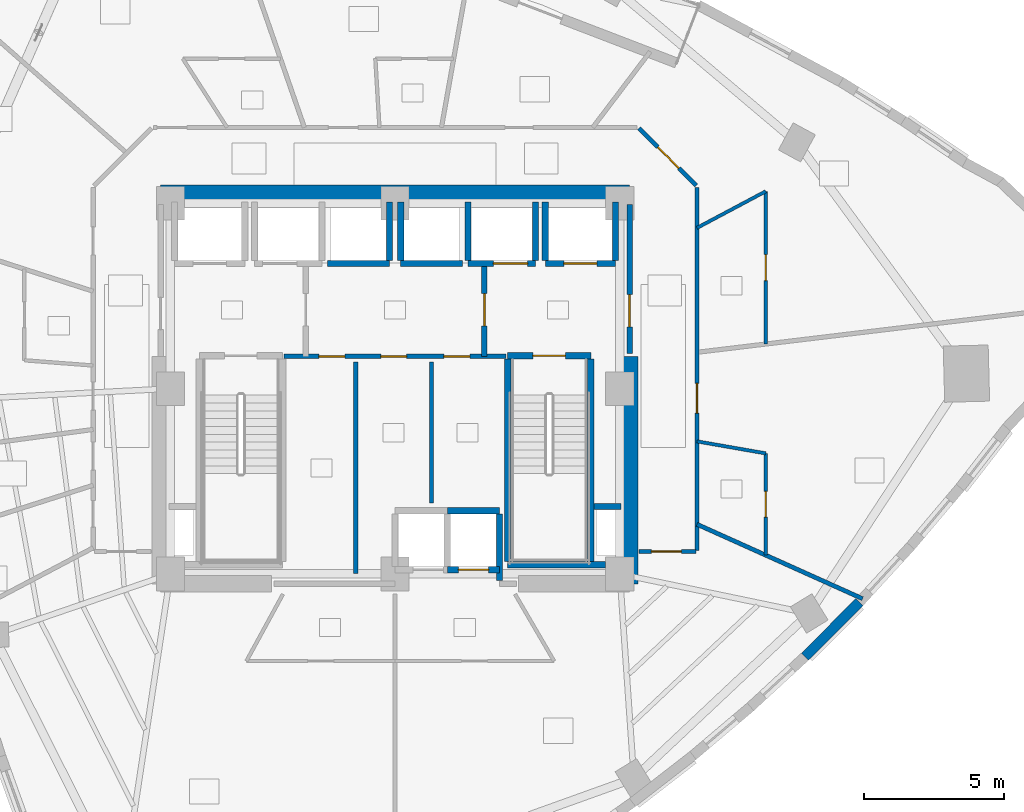
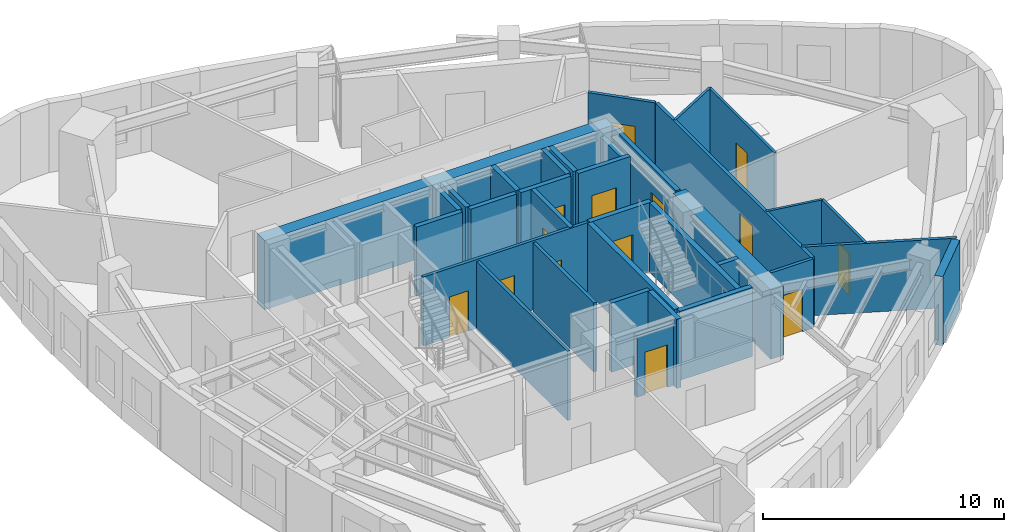
# One storey, part 8 of 13: 34 walls, 14 doors, 14 openings.
"""IFC4 building model written with IfcOpenShell, lengths in metres."""

from ifc_helpers import new_model, si_unit, direction, frame, frame_2d, origin, place, context, subcontext, project, spatial, rectangle, extrude, material, layer, layer_set, type_object, element, fill, save


model = new_model("IFC4")

# Units and contexts
model_context = context("Model", 3, precision=1e-05, world=origin(), true_north=direction((0.0, 1.0)))
body_context = subcontext(model_context, "Body", "Model", "MODEL_VIEW")
ifc_project = project(units=[si_unit("LENGTHUNIT", "METRE"), si_unit("AREAUNIT", "SQUARE_METRE"), si_unit("VOLUMEUNIT", "CUBIC_METRE"), si_unit("PLANEANGLEUNIT", "RADIAN"), si_unit("MASSUNIT", "GRAM", prefix="KILO")], contexts=[model_context])

# Site, building, storey
site_placement = place(None, origin())
site = spatial("IfcSite", under=ifc_project, at=site_placement, CompositionType="ELEMENT")
building_placement = place(site_placement, origin())
building = spatial("IfcBuilding", under=site, at=building_placement, Name="Ndelora Gate Hotel", CompositionType="ELEMENT")
storey_placement = place(building_placement, frame((0.0, 0.0, 157.25)))
storey = spatial("IfcBuildingStorey", under=building, at=storey_placement, Name="L39", CompositionType="ELEMENT", Elevation=157.25)

# Walls
ifc_material_1 = material(Name="Clay Brick Masonry", Category="masonry")
ifc_layer_1 = layer(ifc_material_1, 0.360107421875)
ifc_layer_set_1 = layer_set([ifc_layer_1], Name="Clay Brick Masonry")
wall_type_1 = type_object("IfcWallType", Name="WL-BRICK-360", PredefinedType="SOLIDWALL", material=ifc_layer_set_1)
wall_1_placement = place(storey_placement, frame((16.53271484375, -7.605712890625, 0.0), z_axis=(0.0, 0.0, 1.0), x_axis=(-0.706305628683, -0.70790702701, 0.0)))
element("IfcWall", 1, at=wall_1_placement, inside=storey, type_object=wall_type_1, Name="L39 Tower Brick Pier-and-Spandrel Wall TWR-37", PredefinedType="SOLIDWALL", context=body_context, shape_type="SweptSolid", body=[
    extrude(rectangle(XDim=2.744140625, YDim=0.360107421875, at=frame_2d((1.3720703125, 0.0))), origin(), (0.0, 0.0, 1.0), 3.5),
])
ifc_material_2 = material(Name="Concrete C60/75", Category="concrete")
ifc_layer_2 = layer(ifc_material_2, 0.60009765625)
ifc_layer_set_2 = layer_set([ifc_layer_2], Name="Concrete C60/75")
wall_type_2 = type_object("IfcWallType", Name="WL-CORE-600", PredefinedType="SHEAR", material=ifc_layer_set_2)
wall_2_placement = place(storey_placement, frame((-8.35009765625, 6.949951171875, 0.0), z_axis=(0.0, 0.0, 1.0), x_axis=(1.0, 0.0, 0.0)))
element("IfcWall", 2, at=wall_2_placement, inside=storey, type_object=wall_type_2, Name="L39 Core Shear Wall N", PredefinedType="SHEAR", context=body_context, shape_type="SweptSolid", body=[
    extrude(rectangle(XDim=16.7001953125, YDim=0.60009765625, at=frame_2d((8.35009765625, 0.0))), origin(), (0.0, 0.0, 1.0), 3.5),
])
wall_3_placement = place(storey_placement, frame((8.35009765625, -6.949951171875, 0.0), z_axis=(0.0, 0.0, 1.0), x_axis=(0.0, 1.0, 0.0)))
element("IfcWall", 3, at=wall_3_placement, inside=storey, type_object=wall_type_2, Name="L39 Core Shear Wall E", PredefinedType="SHEAR", context=body_context, shape_type="SweptSolid", body=[
    extrude(rectangle(XDim=8.099853515625, YDim=0.60009765625, at=frame_2d((4.0498046875, 0.0))), origin(), (0.0, 0.0, 1.0), 3.5),
])

# Wall, opening, door
ifc_material_3 = material(Name="Concrete C40/50", Category="concrete")
ifc_layer_3 = layer(ifc_material_3, 0.199951171875)
ifc_layer_set_3 = layer_set([ifc_layer_3], Name="Concrete C40/50")
wall_type_3 = type_object("IfcWallType", Name="WL-FIRE-200", PredefinedType="PARTITIONING", material=ifc_layer_set_3)
wall_4_placement = place(storey_placement, frame((3.179931640625, 1.14990234375, 0.0), z_axis=(0.0, 0.0, 1.0), x_axis=(0.0, 1.0, 0.0)))
wall_4 = element("IfcWall", 4, at=wall_4_placement, inside=storey, type_object=wall_type_3, Name="L39 Interior Wall IW-2", PredefinedType="PARTITIONING", context=body_context, shape_type="SweptSolid", body=[
    extrude(rectangle(XDim=3.300048828125, YDim=0.199951171875, at=frame_2d((1.64990234375, 0.0))), origin(), (0.0, 0.0, 1.0), 3.5),
])
opening_1_placement = place(wall_4_placement, frame((1.080078125, 0.0, 0.0)))
opening_1 = element("IfcOpeningElement", 5, at=opening_1_placement, cuts=wall_4, Name="Opening FD1", PredefinedType="OPENING", context=body_context, shape_type="SweptSolid", body=[
    extrude(rectangle(XDim=1.14990234375, YDim=2.14990234375, at=frame_2d((0.574951171875, 1.074951171875))), frame((0.0, 0.10986328125, 0.0), z_axis=(0.0, -1.0, 0.0), x_axis=(1.0, 0.0, 0.0)), (0.0, 0.0, 1.0), 0.219970703125),
])
ifc_material_4 = material(Name="Fire-Rated Timber-Veneer Steel Core", Category="steel")
door_type_1 = type_object("IfcDoorType", Name="DR-FD60", OperationType="SINGLE_SWING_LEFT", PredefinedType="DOOR", material=ifc_material_4)
door_1_placement = place(opening_1_placement, origin())
door_1 = element("IfcDoor", 6, at=door_1_placement, inside=storey, type_object=door_type_1, Name="L39 Firefighting Lobby East Door", OperationType="SINGLE_SWING_LEFT", OverallHeight=2.14990234375, OverallWidth=1.14990234375, PredefinedType="DOOR", context=body_context, shape_type="SweptSolid", body=[
    extrude(rectangle(XDim=1.14990234375, YDim=2.14990234375, at=frame_2d((0.574951171875, 1.074951171875))), frame((0.0, 0.02490234375, 0.0), z_axis=(0.0, -1.0, 0.0), x_axis=(1.0, 0.0, 0.0)), (0.0, 0.0, 1.0), 0.050048828125),
])
fill(opening_1, door_1)

wall_5_placement = place(storey_placement, frame((8.35009765625, 1.25, 0.0), z_axis=(0.0, 0.0, 1.0), x_axis=(0.0, 1.0, 0.0)))
wall_5 = element("IfcWall", 7, at=wall_5_placement, inside=storey, type_object=wall_type_3, Name="L39 Interior Wall IW-2", PredefinedType="PARTITIONING", context=body_context, shape_type="SweptSolid", body=[
    extrude(rectangle(XDim=5.300048828125, YDim=0.199951171875, at=frame_2d((2.64990234375, 0.0))), origin(), (0.0, 0.0, 1.0), 3.5),
])
opening_2_placement = place(wall_5_placement, frame((0.949951171875, 0.0, 0.0)))
opening_2 = element("IfcOpeningElement", 8, at=opening_2_placement, cuts=wall_5, Name="Opening FD1", PredefinedType="OPENING", context=body_context, shape_type="SweptSolid", body=[
    extrude(rectangle(XDim=1.14990234375, YDim=2.14990234375, at=frame_2d((0.574951171875, 1.074951171875))), frame((0.0, 0.10986328125, 0.0), z_axis=(0.0, -1.0, 0.0), x_axis=(1.0, 0.0, 0.0)), (0.0, 0.0, 1.0), 0.219970703125),
])
door_2_placement = place(opening_2_placement, origin())
door_2 = element("IfcDoor", 9, at=door_2_placement, inside=storey, type_object=door_type_1, Name="L39 Firefighting Lobby East Corridor Door", OperationType="SINGLE_SWING_RIGHT", OverallHeight=2.14990234375, OverallWidth=1.14990234375, PredefinedType="DOOR", context=body_context, shape_type="SweptSolid", body=[
    extrude(rectangle(XDim=1.14990234375, YDim=2.14990234375, at=frame_2d((0.574951171875, 1.074951171875))), frame((0.0, 0.02490234375, 0.0), z_axis=(0.0, -1.0, 0.0), x_axis=(1.0, 0.0, 0.0)), (0.0, 0.0, 1.0), 0.050048828125),
])
fill(opening_2, door_2)

# Wall, openings, doors
ifc_material_5 = material(Name="Fire-Rated Gypsum Stud Partition", Category="gypsum")
ifc_layer_4 = layer(ifc_material_5, 0.14990234375)
ifc_layer_set_4 = layer_set([ifc_layer_4], Name="Fire-Rated Gypsum Stud Partition")
wall_type_4 = type_object("IfcWallType", Name="WL-PART-150", PredefinedType="PARTITIONING", material=ifc_layer_set_4)
wall_6_placement = place(storey_placement, frame((3.949951171875, 1.14990234375, 0.0), z_axis=(0.0, 0.0, 1.0), x_axis=(-1.0, 0.0, 0.0)))
wall_6 = element("IfcWall", 10, at=wall_6_placement, inside=storey, type_object=wall_type_4, Name="L39 Interior Wall IW-5", PredefinedType="PARTITIONING", context=body_context, shape_type="SweptSolid", body=[
    extrude(rectangle(XDim=7.89990234375, YDim=0.14990234375, at=frame_2d((3.949951171875, 0.0))), origin(), (0.0, 0.0, 1.0), 3.5),
])
opening_3_placement = place(wall_6_placement, frame((5.739990234375, 0.0, 0.0)))
opening_3 = element("IfcOpeningElement", 11, at=opening_3_placement, cuts=wall_6, Name="Opening D04", PredefinedType="OPENING", context=body_context, shape_type="SweptSolid", body=[
    extrude(rectangle(XDim=0.919921875, YDim=2.050048828125, at=frame_2d((0.4599609375, 1.02490234375))), frame((0.0, 0.0849609375, 0.0), z_axis=(0.0, -1.0, 0.0), x_axis=(1.0, 0.0, 0.0)), (0.0, 0.0, 1.0), 0.169921875),
])
opening_4_placement = place(wall_6_placement, frame((3.5400390625, 0.0, 0.0)))
opening_4 = element("IfcOpeningElement", 12, at=opening_4_placement, cuts=wall_6, Name="Opening D04", PredefinedType="OPENING", context=body_context, shape_type="SweptSolid", body=[
    extrude(rectangle(XDim=0.919921875, YDim=2.050048828125, at=frame_2d((0.4599609375, 1.02490234375))), frame((0.0, 0.0849609375, 0.0), z_axis=(0.0, -1.0, 0.0), x_axis=(1.0, 0.0, 0.0)), (0.0, 0.0, 1.0), 0.169921875),
])
opening_5_placement = place(wall_6_placement, frame((1.2900390625, 0.0, 0.0)))
opening_5 = element("IfcOpeningElement", 13, at=opening_5_placement, cuts=wall_6, Name="Opening D04", PredefinedType="OPENING", context=body_context, shape_type="SweptSolid", body=[
    extrude(rectangle(XDim=0.919921875, YDim=2.050048828125, at=frame_2d((0.4599609375, 1.02490234375))), frame((0.0, 0.0849609375, 0.0), z_axis=(0.0, -1.0, 0.0), x_axis=(1.0, 0.0, 0.0)), (0.0, 0.0, 1.0), 0.169921875),
])
ifc_material_6 = material(Name="Painted Steel Core Service Door", Category="steel")
door_type_2 = type_object("IfcDoorType", Name="DR-SER-920", OperationType="SINGLE_SWING_LEFT", PredefinedType="DOOR", material=ifc_material_6)
door_3_placement = place(opening_3_placement, origin())
door_3 = element("IfcDoor", 14, at=door_3_placement, inside=storey, type_object=door_type_2, Name="L39 Core Cleaners Store Door", OperationType="SINGLE_SWING_LEFT", OverallHeight=2.050048828125, OverallWidth=0.919921875, PredefinedType="DOOR", context=body_context, shape_type="SweptSolid", body=[
    extrude(rectangle(XDim=0.919921875, YDim=2.050048828125, at=frame_2d((0.4599609375, 1.02490234375))), frame((0.0, 0.02490234375, 0.0), z_axis=(0.0, -1.0, 0.0), x_axis=(1.0, 0.0, 0.0)), (0.0, 0.0, 1.0), 0.050048828125),
])
fill(opening_3, door_3)
door_4_placement = place(opening_4_placement, origin())
door_4 = element("IfcDoor", 15, at=door_4_placement, inside=storey, type_object=door_type_2, Name="L39 Core Telecoms Equipment Room Door", OperationType="SINGLE_SWING_RIGHT", OverallHeight=2.050048828125, OverallWidth=0.919921875, PredefinedType="DOOR", context=body_context, shape_type="SweptSolid", body=[
    extrude(rectangle(XDim=0.919921875, YDim=2.050048828125, at=frame_2d((0.4599609375, 1.02490234375))), frame((0.0, 0.02490234375, 0.0), z_axis=(0.0, -1.0, 0.0), x_axis=(1.0, 0.0, 0.0)), (0.0, 0.0, 1.0), 0.050048828125),
])
fill(opening_4, door_4)
door_5_placement = place(opening_5_placement, origin())
door_5 = element("IfcDoor", 16, at=door_5_placement, inside=storey, type_object=door_type_2, Name="L39 Core Electrical Metering Room Door", OperationType="SINGLE_SWING_LEFT", OverallHeight=2.050048828125, OverallWidth=0.919921875, PredefinedType="DOOR", context=body_context, shape_type="SweptSolid", body=[
    extrude(rectangle(XDim=0.919921875, YDim=2.050048828125, at=frame_2d((0.4599609375, 1.02490234375))), frame((0.0, 0.02490234375, 0.0), z_axis=(0.0, -1.0, 0.0), x_axis=(1.0, 0.0, 0.0)), (0.0, 0.0, 1.0), 0.050048828125),
])
fill(opening_5, door_5)

# Walls
wall_7_placement = place(storey_placement, frame((-1.39990234375, -6.580078125, 0.0), z_axis=(0.0, 0.0, 1.0), x_axis=(0.0, 1.0, 0.0)))
element("IfcWall", 17, at=wall_7_placement, inside=storey, type_object=wall_type_4, Name="L39 Interior Wall IW-5", PredefinedType="PARTITIONING", context=body_context, shape_type="SweptSolid", body=[
    extrude(rectangle(XDim=7.530029296875, YDim=0.14990234375, at=frame_2d((3.76513671875, 0.0))), origin(), (0.0, 0.0, 1.0), 3.5),
])
wall_8_placement = place(storey_placement, frame((1.300048828125, -4.080078125, 0.0), z_axis=(0.0, 0.0, 1.0), x_axis=(0.0, 1.0, 0.0)))
element("IfcWall", 18, at=wall_8_placement, inside=storey, type_object=wall_type_4, Name="L39 Interior Wall IW-5", PredefinedType="PARTITIONING", context=body_context, shape_type="SweptSolid", body=[
    extrude(rectangle(XDim=5.030029296875, YDim=0.14990234375, at=frame_2d((2.51513671875, 0.0))), origin(), (0.0, 0.0, 1.0), 3.5),
])

# Wall, opening, door
wall_9_placement = place(storey_placement, frame((10.7099609375, -5.800048828125, 0.0), z_axis=(0.0, 0.0, 1.0), x_axis=(-1.0, 0.0, 0.0)))
wall_9 = element("IfcWall", 19, at=wall_9_placement, inside=storey, type_object=wall_type_4, Name="L39 Interior Wall IW-5", PredefinedType="PARTITIONING", context=body_context, shape_type="SweptSolid", body=[
    extrude(rectangle(XDim=2.02001953125, YDim=0.14990234375, at=frame_2d((1.010009765625, 0.0))), origin(), (0.0, 0.0, 1.0), 3.5),
])
opening_6_placement = place(wall_9_placement, frame((0.52001953125, 0.0, 0.0)))
opening_6 = element("IfcOpeningElement", 20, at=opening_6_placement, cuts=wall_9, Name="Opening D07", PredefinedType="OPENING", context=body_context, shape_type="SweptSolid", body=[
    extrude(rectangle(XDim=1.06005859375, YDim=2.14990234375, at=frame_2d((0.530029296875, 1.074951171875))), frame((0.0, 0.0849609375, 0.0), z_axis=(0.0, -1.0, 0.0), x_axis=(1.0, 0.0, 0.0)), (0.0, 0.0, 1.0), 0.169921875),
])
ifc_material_7 = material(Name="Diplomatic Suite Acoustic Entrance Door", Category="wood")
door_type_3 = type_object("IfcDoorType", Name="DR-SUITE-1060", OperationType="SINGLE_SWING_LEFT", PredefinedType="DOOR", material=ifc_material_7)
door_6_placement = place(opening_6_placement, origin())
door_6 = element("IfcDoor", 21, at=door_6_placement, inside=storey, type_object=door_type_3, Name="L39 Club Twin Corner Suite 4202 Entrance Door", OperationType="SINGLE_SWING_LEFT", OverallHeight=2.14990234375, OverallWidth=1.06005859375, PredefinedType="DOOR", context=body_context, shape_type="SweptSolid", body=[
    extrude(rectangle(XDim=1.06005859375, YDim=2.14990234375, at=frame_2d((0.530029296875, 1.074951171875))), frame((0.0, 0.02490234375, 0.0), z_axis=(0.0, -1.0, 0.0), x_axis=(1.0, 0.0, 0.0)), (0.0, 0.0, 1.0), 0.050048828125),
])
fill(opening_6, door_6)

wall_10_placement = place(storey_placement, frame((10.75, 7.159912109375, 0.0), z_axis=(0.0, 0.0, 1.0), x_axis=(0.0, -1.0, 0.0)))
wall_10 = element("IfcWall", 22, at=wall_10_placement, inside=storey, type_object=wall_type_4, Name="L39 Interior Wall IW-5", PredefinedType="PARTITIONING", context=body_context, shape_type="SweptSolid", body=[
    extrude(rectangle(XDim=12.919921875, YDim=0.14990234375, at=frame_2d((6.4599609375, 0.0))), origin(), (0.0, 0.0, 1.0), 3.5),
])
opening_7_placement = place(wall_10_placement, frame((6.973388671875, 0.0, 0.0)))
opening_7 = element("IfcOpeningElement", 23, at=opening_7_placement, cuts=wall_10, Name="Opening D07", PredefinedType="OPENING", context=body_context, shape_type="SweptSolid", body=[
    extrude(rectangle(XDim=1.06005859375, YDim=2.14990234375, at=frame_2d((0.530029296875, 1.074951171875))), frame((0.0, 0.0849609375, 0.0), z_axis=(0.0, -1.0, 0.0), x_axis=(1.0, 0.0, 0.0)), (0.0, 0.0, 1.0), 0.169921875),
])
door_7_placement = place(opening_7_placement, origin())
door_7 = element("IfcDoor", 24, at=door_7_placement, inside=storey, type_object=door_type_3, Name="L39 Corner Panorama Suite 4203 Entrance Door", OperationType="SINGLE_SWING_RIGHT", OverallHeight=2.14990234375, OverallWidth=1.06005859375, PredefinedType="DOOR", context=body_context, shape_type="SweptSolid", body=[
    extrude(rectangle(XDim=1.06005859375, YDim=2.14990234375, at=frame_2d((0.530029296875, 1.074951171875))), frame((0.0, 0.02490234375, 0.0), z_axis=(0.0, -1.0, 0.0), x_axis=(1.0, 0.0, 0.0)), (0.0, 0.0, 1.0), 0.050048828125),
])
fill(opening_7, door_7)

wall_11_placement = place(storey_placement, frame((8.67822265625, 9.271728515625, 0.0), z_axis=(0.0, 0.0, 1.0), x_axis=(0.707106781187, -0.707106781187, 0.0)))
wall_11 = element("IfcWall", 25, at=wall_11_placement, inside=storey, type_object=wall_type_4, Name="L39 Interior Wall IW-5", PredefinedType="PARTITIONING", context=body_context, shape_type="SweptSolid", body=[
    extrude(rectangle(XDim=2.889892578125, YDim=0.14990234375, at=frame_2d((1.44482421875, 0.0))), origin(), (0.0, 0.0, 1.0), 3.5),
])
opening_8_placement = place(wall_11_placement, frame((0.954833984375, 0.0, 0.0)))
opening_8 = element("IfcOpeningElement", 26, at=opening_8_placement, cuts=wall_11, Name="Opening D07", PredefinedType="OPENING", context=body_context, shape_type="SweptSolid", body=[
    extrude(rectangle(XDim=1.06005859375, YDim=2.14990234375, at=frame_2d((0.530029296875, 1.074951171875))), frame((0.0, 0.0849609375, 0.0), z_axis=(0.0, -1.0, 0.0), x_axis=(1.0, 0.0, 0.0)), (0.0, 0.0, 1.0), 0.169921875),
])
door_8_placement = place(opening_8_placement, origin())
door_8 = element("IfcDoor", 27, at=door_8_placement, inside=storey, type_object=door_type_3, Name="L39 Two-Bay Highland Suite 4204 Entrance Door", OperationType="SINGLE_SWING_RIGHT", OverallHeight=2.14990234375, OverallWidth=1.06005859375, PredefinedType="DOOR", context=body_context, shape_type="SweptSolid", body=[
    extrude(rectangle(XDim=1.06005859375, YDim=2.14990234375, at=frame_2d((0.530029296875, 1.074951171875))), frame((0.0, 0.02490234375, 0.0), z_axis=(0.0, -1.0, 0.0), x_axis=(1.0, 0.0, 0.0)), (0.0, 0.0, 1.0), 0.050048828125),
])
fill(opening_8, door_8)

# Walls
wall_12_placement = place(storey_placement, frame((10.75, -4.831298828125, 0.0), z_axis=(0.0, 0.0, 1.0), x_axis=(0.912119988026, -0.40992331898, 0.0)))
element("IfcWall", 28, at=wall_12_placement, inside=storey, type_object=wall_type_4, Name="L39 Interior Wall IW-5", PredefinedType="PARTITIONING", context=body_context, shape_type="SweptSolid", body=[
    extrude(rectangle(XDim=6.4638671875, YDim=0.14990234375, at=frame_2d((3.23193359375, 0.0))), origin(), (0.0, 0.0, 1.0), 3.5),
])
ifc_layer_5 = layer(ifc_material_3, 0.219970703125)
ifc_layer_set_5 = layer_set([ifc_layer_5], Name="Concrete C40/50")
wall_type_5 = type_object("IfcWallType", Name="WL-SHAFT-220", PredefinedType="PARTITIONING", material=ifc_layer_set_5)
wall_13_placement = place(storey_placement, frame((7.090087890625, -4.199951171875, 0.0), z_axis=(0.0, 0.0, 1.0), x_axis=(1.0, 0.0, 0.0)))
element("IfcWall", 29, at=wall_13_placement, inside=storey, type_object=wall_type_5, Name="L39 Interior Wall IW-1", PredefinedType="PARTITIONING", context=body_context, shape_type="SweptSolid", body=[
    extrude(rectangle(XDim=0.9599609375, YDim=0.219970703125, at=frame_2d((0.47998046875, 0.0))), origin(), (0.0, 0.0, 1.0), 3.5),
])

# Wall, opening, door
wall_14_placement = place(storey_placement, frame((5.35009765625, 4.449951171875, 0.0), z_axis=(0.0, 0.0, 1.0), x_axis=(1.0, 0.0, 0.0)))
wall_14 = element("IfcWall", 30, at=wall_14_placement, inside=storey, type_object=wall_type_5, Name="L39 Interior Wall IW-1", PredefinedType="PARTITIONING", context=body_context, shape_type="SweptSolid", body=[
    extrude(rectangle(XDim=2.5, YDim=0.219970703125, at=frame_2d((1.25, 0.0))), origin(), (0.0, 0.0, 1.0), 3.5),
])
opening_9_placement = place(wall_14_placement, frame((0.659912109375, 0.0, 0.0)))
opening_9 = element("IfcOpeningElement", 31, at=opening_9_placement, cuts=wall_14, Name="Opening LD5", PredefinedType="OPENING", context=body_context, shape_type="SweptSolid", body=[
    extrude(rectangle(XDim=1.179931640625, YDim=2.14990234375, at=frame_2d((0.58984375, 1.074951171875))), frame((0.0, 0.1201171875, 0.0), z_axis=(0.0, -1.0, 0.0), x_axis=(1.0, 0.0, 0.0)), (0.0, 0.0, 1.0), 0.239990234375),
])
ifc_material_8 = material(Name="Firefighting Lift Stainless Sliding Landing Door", Category="metal")
door_type_4 = type_object("IfcDoorType", Name="DR-LD5", OperationType="DOUBLE_DOOR_SLIDING", PredefinedType="DOOR", material=ifc_material_8)
door_9_placement = place(opening_9_placement, origin())
door_9 = element("IfcDoor", 32, at=door_9_placement, inside=storey, type_object=door_type_4, Name="L39 Lift Landing Sliding Door FFL2", OperationType="DOUBLE_DOOR_SLIDING", OverallHeight=2.14990234375, OverallWidth=1.179931640625, PredefinedType="DOOR", context=body_context, shape_type="SweptSolid", body=[
    extrude(rectangle(XDim=1.179931640625, YDim=2.14990234375, at=frame_2d((0.58984375, 1.074951171875))), frame((0.0, 0.02490234375, 0.0), z_axis=(0.0, -1.0, 0.0), x_axis=(1.0, 0.0, 0.0)), (0.0, 0.0, 1.0), 0.050048828125),
])
fill(opening_9, door_9)

# Walls
wall_15_placement = place(storey_placement, frame((5.35009765625, 4.570068359375, 0.0), z_axis=(0.0, 0.0, 1.0), x_axis=(0.0, 1.0, 0.0)))
element("IfcWall", 33, at=wall_15_placement, inside=storey, type_object=wall_type_5, Name="L39 Interior Wall IW-1", PredefinedType="PARTITIONING", context=body_context, shape_type="SweptSolid", body=[
    extrude(rectangle(XDim=2.079833984375, YDim=0.219970703125, at=frame_2d((1.0400390625, 0.0))), origin(), (0.0, 0.0, 1.0), 3.5),
])
wall_16_placement = place(storey_placement, frame((7.85009765625, 4.570068359375, 0.0), z_axis=(0.0, 0.0, 1.0), x_axis=(0.0, 1.0, 0.0)))
element("IfcWall", 34, at=wall_16_placement, inside=storey, type_object=wall_type_5, Name="L39 Interior Wall IW-1", PredefinedType="PARTITIONING", context=body_context, shape_type="SweptSolid", body=[
    extrude(rectangle(XDim=2.079833984375, YDim=0.219970703125, at=frame_2d((1.0400390625, 0.0))), origin(), (0.0, 0.0, 1.0), 3.1201171875),
])

# Wall, opening, door
wall_17_placement = place(storey_placement, frame((2.60009765625, 4.449951171875, 0.0), z_axis=(0.0, 0.0, 1.0), x_axis=(1.0, 0.0, 0.0)))
wall_17 = element("IfcWall", 35, at=wall_17_placement, inside=storey, type_object=wall_type_5, Name="L39 Interior Wall IW-1", PredefinedType="PARTITIONING", context=body_context, shape_type="SweptSolid", body=[
    extrude(rectangle(XDim=2.39990234375, YDim=0.219970703125, at=frame_2d((1.199951171875, 0.0))), origin(), (0.0, 0.0, 1.0), 3.5),
])
opening_10_placement = place(wall_17_placement, frame((0.89990234375, 0.0, 0.0)))
opening_10 = element("IfcOpeningElement", 36, at=opening_10_placement, cuts=wall_17, Name="Opening LD6", PredefinedType="OPENING", context=body_context, shape_type="SweptSolid", body=[
    extrude(rectangle(XDim=1.219970703125, YDim=2.14990234375, at=frame_2d((0.60986328125, 1.074951171875))), frame((0.0, 0.1201171875, 0.0), z_axis=(0.0, -1.0, 0.0), x_axis=(1.0, 0.0, 0.0)), (0.0, 0.0, 1.0), 0.239990234375),
])
ifc_material_9 = material(Name="Heavy-Duty Service Lift Sliding Landing Door", Category="wood")
door_type_5 = type_object("IfcDoorType", Name="DR-LD6", OperationType="DOUBLE_DOOR_SLIDING", PredefinedType="DOOR", material=ifc_material_9)
door_10_placement = place(opening_10_placement, origin())
door_10 = element("IfcDoor", 37, at=door_10_placement, inside=storey, type_object=door_type_5, Name="L39 Lift Landing Sliding Door SVL2", OperationType="DOUBLE_DOOR_SLIDING", OverallHeight=2.14990234375, OverallWidth=1.219970703125, PredefinedType="DOOR", context=body_context, shape_type="SweptSolid", body=[
    extrude(rectangle(XDim=1.219970703125, YDim=2.14990234375, at=frame_2d((0.60986328125, 1.074951171875))), frame((0.0, 0.02490234375, 0.0), z_axis=(0.0, -1.0, 0.0), x_axis=(1.0, 0.0, 0.0)), (0.0, 0.0, 1.0), 0.050048828125),
])
fill(opening_10, door_10)

# Walls
for number, where, z_axis, x_axis, name in (
    (38, (2.60009765625, 4.570068359375, 0.0), (0.0, 0.0, 1.0), (0.0, 1.0, 0.0), "L39 Interior Wall IW-1"),
    (39, (5.0, 4.570068359375, 0.0), (0.0, 0.0, 1.0), (0.0, 1.0, 0.0), "L39 Interior Wall IW-1"),
):
    element("IfcWall", number, at=place(storey_placement, frame(where, z_axis=z_axis, x_axis=x_axis)), inside=storey, type_object=wall_type_5, Name=name, PredefinedType="PARTITIONING", context=body_context, shape_type="SweptSolid", body=[
        extrude(rectangle(XDim=2.079833984375, YDim=0.219970703125, at=frame_2d((1.0400390625, 0.0))), origin(), (0.0, 0.0, 1.0), 3.5),
    ])

# Wall, opening, door
wall_18_placement = place(storey_placement, frame((1.860107421875, -6.449951171875, 0.0), z_axis=(0.0, 0.0, 1.0), x_axis=(1.0, 0.0, 0.0)))
wall_18 = element("IfcWall", 40, at=wall_18_placement, inside=storey, type_object=wall_type_5, Name="L39 Interior Wall IW-1", PredefinedType="PARTITIONING", context=body_context, shape_type="SweptSolid", body=[
    extrude(rectangle(XDim=1.85986328125, YDim=0.219970703125, at=frame_2d((0.929931640625, 0.0))), origin(), (0.0, 0.0, 1.0), 3.1201171875),
])
opening_11_placement = place(wall_18_placement, frame((0.389892578125, 0.0, 0.0)))
opening_11 = element("IfcOpeningElement", 41, at=opening_11_placement, cuts=wall_18, Name="Opening LD2", PredefinedType="OPENING", context=body_context, shape_type="SweptSolid", body=[
    extrude(rectangle(XDim=1.080078125, YDim=2.14990234375, at=frame_2d((0.5400390625, 1.074951171875))), frame((0.0, 0.1201171875, 0.0), z_axis=(0.0, -1.0, 0.0), x_axis=(1.0, 0.0, 0.0)), (0.0, 0.0, 1.0), 0.239990234375),
])
ifc_material_10 = material(Name="Brushed Bronze Stainless Lift Landing Door", Category="metal")
door_type_6 = type_object("IfcDoorType", Name="DR-LD2", OperationType="DOUBLE_DOOR_SLIDING", PredefinedType="DOOR", material=ifc_material_10)
door_11_placement = place(opening_11_placement, origin())
door_11 = element("IfcDoor", 42, at=door_11_placement, inside=storey, type_object=door_type_6, Name="L39 Lift Landing Sliding Door P2B", OperationType="DOUBLE_DOOR_SLIDING", OverallHeight=2.14990234375, OverallWidth=1.080078125, PredefinedType="DOOR", context=body_context, shape_type="SweptSolid", body=[
    extrude(rectangle(XDim=1.080078125, YDim=2.14990234375, at=frame_2d((0.5400390625, 1.074951171875))), frame((0.0, 0.02490234375, 0.0), z_axis=(0.0, -1.0, 0.0), x_axis=(1.0, 0.0, 0.0)), (0.0, 0.0, 1.0), 0.050048828125),
])
fill(opening_11, door_11)

# Walls
wall_19_placement = place(storey_placement, frame((1.860107421875, -4.35009765625, 0.0), z_axis=(0.0, 0.0, 1.0), x_axis=(1.0, 0.0, 0.0)))
element("IfcWall", 43, at=wall_19_placement, inside=storey, type_object=wall_type_5, Name="L39 Interior Wall IW-1", PredefinedType="PARTITIONING", context=body_context, shape_type="SweptSolid", body=[
    extrude(rectangle(XDim=1.85986328125, YDim=0.219970703125, at=frame_2d((0.929931640625, 0.0))), origin(), (0.0, 0.0, 1.0), 3.5),
])
wall_20_placement = place(storey_placement, frame((3.719970703125, -6.830078125, 0.0), z_axis=(0.0, 0.0, 1.0), x_axis=(0.0, 1.0, 0.0)))
element("IfcWall", 44, at=wall_20_placement, inside=storey, type_object=wall_type_5, Name="L39 Interior Wall IW-1", PredefinedType="PARTITIONING", context=body_context, shape_type="SweptSolid", body=[
    extrude(rectangle(XDim=2.360107421875, YDim=0.219970703125, at=frame_2d((1.18017578125, 0.0))), origin(), (0.0, 0.0, 1.0), 3.5),
])
wall_21_placement = place(storey_placement, frame((-2.39990234375, 4.449951171875, 0.0), z_axis=(0.0, 0.0, 1.0), x_axis=(1.0, 0.0, 0.0)))
element("IfcWall", 45, at=wall_21_placement, inside=storey, type_object=wall_type_5, Name="L39 Interior Wall IW-1", PredefinedType="PARTITIONING", context=body_context, shape_type="SweptSolid", body=[
    extrude(rectangle(XDim=2.199951171875, YDim=0.219970703125, at=frame_2d((1.10009765625, 0.0))), origin(), (0.0, 0.0, 1.0), 3.5),
])
wall_22_placement = place(storey_placement, frame((-0.199951171875, 4.570068359375, 0.0), z_axis=(0.0, 0.0, 1.0), x_axis=(0.0, 1.0, 0.0)))
element("IfcWall", 46, at=wall_22_placement, inside=storey, type_object=wall_type_5, Name="L39 Interior Wall IW-1", PredefinedType="PARTITIONING", context=body_context, shape_type="SweptSolid", body=[
    extrude(rectangle(XDim=2.079833984375, YDim=0.219970703125, at=frame_2d((1.0400390625, 0.0))), origin(), (0.0, 0.0, 1.0), 3.5),
])
wall_23_placement = place(storey_placement, frame((0.199951171875, 4.449951171875, 0.0), z_axis=(0.0, 0.0, 1.0), x_axis=(1.0, 0.0, 0.0)))
element("IfcWall", 47, at=wall_23_placement, inside=storey, type_object=wall_type_5, Name="L39 Interior Wall IW-1", PredefinedType="PARTITIONING", context=body_context, shape_type="SweptSolid", body=[
    extrude(rectangle(XDim=2.199951171875, YDim=0.219970703125, at=frame_2d((1.10009765625, 0.0))), origin(), (0.0, 0.0, 1.0), 3.5),
])
wall_24_placement = place(storey_placement, frame((0.199951171875, 4.570068359375, 0.0), z_axis=(0.0, 0.0, 1.0), x_axis=(0.0, 1.0, 0.0)))
element("IfcWall", 48, at=wall_24_placement, inside=storey, type_object=wall_type_5, Name="L39 Interior Wall IW-1", PredefinedType="PARTITIONING", context=body_context, shape_type="SweptSolid", body=[
    extrude(rectangle(XDim=2.079833984375, YDim=0.219970703125, at=frame_2d((1.0400390625, 0.0))), origin(), (0.0, 0.0, 1.0), 3.5),
])
ifc_material_11 = material(Name="Concrete C50/60", Category="concrete")
ifc_layer_6 = layer(ifc_material_11, 0.239990234375)
ifc_layer_set_6 = layer_set([ifc_layer_6], Name="Concrete C50/60")
wall_type_6 = type_object("IfcWallType", Name="WL-STAIR-240", PredefinedType="SHEAR", material=ifc_layer_set_6)
for number, where, z_axis, x_axis, name in (
    (49, (4.010009765625, -6.159912109375, 0.0), (0.0, 0.0, 1.0), (0.0, 1.0, 0.0), "L39 Stair Core Shear Wall SW-ST"),
    (50, (6.969970703125, -6.159912109375, 0.0), (0.0, 0.0, 1.0), (0.0, 1.0, 0.0), "L39 Stair Core Shear Wall SW-ST"),
):
    element("IfcWall", number, at=place(storey_placement, frame(where, z_axis=z_axis, x_axis=x_axis)), inside=storey, type_object=wall_type_6, Name=name, PredefinedType="SHEAR", context=body_context, shape_type="SweptSolid", body=[
        extrude(rectangle(XDim=7.219970703125, YDim=0.239990234375, at=frame_2d((3.60986328125, 0.0))), origin(), (0.0, 0.0, 1.0), 3.5),
    ])
wall_25_placement = place(storey_placement, frame((4.010009765625, -6.27001953125, 0.0), z_axis=(0.0, 0.0, 1.0), x_axis=(1.0, 0.0, 0.0)))
element("IfcWall", 51, at=wall_25_placement, inside=storey, type_object=wall_type_6, Name="L39 Stair Core Shear Wall SW-ST", PredefinedType="SHEAR", context=body_context, shape_type="SweptSolid", body=[
    extrude(rectangle(XDim=3.489990234375, YDim=0.239990234375, at=frame_2d((1.7451171875, 0.0))), origin(), (0.0, 0.0, 1.0), 3.5),
])

# Wall, opening, door
wall_26_placement = place(storey_placement, frame((4.010009765625, 1.169921875, 0.0), z_axis=(0.0, 0.0, 1.0), x_axis=(1.0, 0.0, 0.0)))
wall_26 = element("IfcWall", 52, at=wall_26_placement, inside=storey, type_object=wall_type_6, Name="L39 Stair Core Shear Wall SW-ST", PredefinedType="SHEAR", context=body_context, shape_type="SweptSolid", body=[
    extrude(rectangle(XDim=2.9599609375, YDim=0.239990234375, at=frame_2d((1.47998046875, 0.0))), origin(), (0.0, 0.0, 1.0), 3.5),
])
opening_12_placement = place(wall_26_placement, frame((0.89990234375, 0.0, 0.0)))
opening_12 = element("IfcOpeningElement", 53, at=opening_12_placement, cuts=wall_26, Name="Opening FD1", PredefinedType="OPENING", context=body_context, shape_type="SweptSolid", body=[
    extrude(rectangle(XDim=1.14990234375, YDim=2.14990234375, at=frame_2d((0.574951171875, 1.074951171875))), frame((0.0, 0.1298828125, 0.0), z_axis=(0.0, -1.0, 0.0), x_axis=(1.0, 0.0, 0.0)), (0.0, 0.0, 1.0), 0.260009765625),
])
door_12_placement = place(opening_12_placement, origin())
door_12 = element("IfcDoor", 54, at=door_12_placement, inside=storey, type_object=door_type_1, Name="L39 Exit Stair ST5 Door", OperationType="SINGLE_SWING_RIGHT", OverallHeight=2.14990234375, OverallWidth=1.14990234375, PredefinedType="DOOR", context=body_context, shape_type="SweptSolid", body=[
    extrude(rectangle(XDim=1.14990234375, YDim=2.14990234375, at=frame_2d((0.574951171875, 1.074951171875))), frame((0.0, 0.02490234375, 0.0), z_axis=(0.0, -1.0, 0.0), x_axis=(1.0, 0.0, 0.0)), (0.0, 0.0, 1.0), 0.050048828125),
])
fill(opening_12, door_12)

# Wall
ifc_material_12 = material(Name="Moisture-Resistant Bathroom Tile Partition", Category="gypsum")
ifc_layer_7 = layer(ifc_material_12, 0.1201171875)
ifc_layer_set_7 = layer_set([ifc_layer_7], Name="Moisture-Resistant Bathroom Tile Partition")
wall_type_7 = type_object("IfcWallType", Name="WL-WET-120", PredefinedType="PARTITIONING", material=ifc_layer_set_7)
wall_27_placement = place(storey_placement, frame((10.75, -1.87890625, 0.0), z_axis=(0.0, 0.0, 1.0), x_axis=(0.985065866007, -0.172177930142, 0.0)))
element("IfcWall", 55, at=wall_27_placement, inside=storey, type_object=wall_type_7, Name="L39 Interior Wall IW-7", PredefinedType="PARTITIONING", context=body_context, shape_type="SweptSolid", body=[
    extrude(rectangle(XDim=2.487060546875, YDim=0.1201171875, at=frame_2d((1.24365234375, 0.0))), origin(), (0.0, 0.0, 1.0), 3.5),
])

# Wall, opening, door
wall_28_placement = place(storey_placement, frame((13.199951171875, -2.30712890625, 0.0), z_axis=(0.0, 0.0, 1.0), x_axis=(0.0, -1.0, 0.0)))
wall_28 = element("IfcWall", 56, at=wall_28_placement, inside=storey, type_object=wall_type_7, Name="L39 Interior Wall IW-7", PredefinedType="PARTITIONING", context=body_context, shape_type="SweptSolid", body=[
    extrude(rectangle(XDim=3.625244140625, YDim=0.1201171875, at=frame_2d((1.8125, 0.0))), origin(), (0.0, 0.0, 1.0), 3.5),
])
opening_13_placement = place(wall_28_placement, frame((1.3525390625, 0.0, 0.0)))
opening_13 = element("IfcOpeningElement", 57, at=opening_13_placement, cuts=wall_28, Name="Opening D03", PredefinedType="OPENING", context=body_context, shape_type="SweptSolid", body=[
    extrude(rectangle(XDim=0.919921875, YDim=2.10009765625, at=frame_2d((0.4599609375, 1.050048828125))), frame((0.0, 0.070068359375, 0.0), z_axis=(0.0, -1.0, 0.0), x_axis=(1.0, 0.0, 0.0)), (0.0, 0.0, 1.0), 0.14013671875),
])
ifc_material_13 = material(Name="Moisture-Resistant Hardwood En-Suite Door", Category="wood")
door_type_7 = type_object("IfcDoorType", Name="DR-BATH-920", OperationType="SINGLE_SWING_LEFT", PredefinedType="DOOR", material=ifc_material_13)
door_13_placement = place(opening_13_placement, origin())
door_13 = element("IfcDoor", 58, at=door_13_placement, inside=storey, type_object=door_type_7, Name="L39 En-suite Bathroom 4203 Door", OperationType="SINGLE_SWING_RIGHT", OverallHeight=2.10009765625, OverallWidth=0.919921875, PredefinedType="DOOR", context=body_context, shape_type="SweptSolid", body=[
    extrude(rectangle(XDim=0.919921875, YDim=2.10009765625, at=frame_2d((0.4599609375, 1.050048828125))), frame((0.0, 0.02490234375, 0.0), z_axis=(0.0, -1.0, 0.0), x_axis=(1.0, 0.0, 0.0)), (0.0, 0.0, 1.0), 0.050048828125),
])
fill(opening_13, door_13)

# Wall
wall_29_placement = place(storey_placement, frame((13.199951171875, 7.025634765625, 0.0), z_axis=(0.0, 0.0, 1.0), x_axis=(-0.88275440909, -0.469834708416, 0.0)))
element("IfcWall", 59, at=wall_29_placement, inside=storey, type_object=wall_type_7, Name="L39 Interior Wall IW-7", PredefinedType="PARTITIONING", context=body_context, shape_type="SweptSolid", body=[
    extrude(rectangle(XDim=2.775390625, YDim=0.1201171875, at=frame_2d((1.3876953125, 0.0))), origin(), (0.0, 0.0, 1.0), 3.5),
])

# Wall, opening, door
wall_30_placement = place(storey_placement, frame((13.199951171875, 7.025634765625, 0.0), z_axis=(0.0, 0.0, 1.0), x_axis=(0.0, -1.0, 0.0)))
wall_30 = element("IfcWall", 60, at=wall_30_placement, inside=storey, type_object=wall_type_7, Name="L39 Interior Wall IW-7", PredefinedType="PARTITIONING", context=body_context, shape_type="SweptSolid", body=[
    extrude(rectangle(XDim=5.438720703125, YDim=0.1201171875, at=frame_2d((2.71923828125, 0.0))), origin(), (0.0, 0.0, 1.0), 3.5),
])
opening_14_placement = place(wall_30_placement, frame((2.25927734375, 0.0, 0.0)))
opening_14 = element("IfcOpeningElement", 61, at=opening_14_placement, cuts=wall_30, Name="Opening D03", PredefinedType="OPENING", context=body_context, shape_type="SweptSolid", body=[
    extrude(rectangle(XDim=0.919921875, YDim=2.10009765625, at=frame_2d((0.4599609375, 1.050048828125))), frame((0.0, 0.070068359375, 0.0), z_axis=(0.0, -1.0, 0.0), x_axis=(1.0, 0.0, 0.0)), (0.0, 0.0, 1.0), 0.14013671875),
])
door_14_placement = place(opening_14_placement, origin())
door_14 = element("IfcDoor", 62, at=door_14_placement, inside=storey, type_object=door_type_7, Name="L39 En-suite Bathroom 4204 Door", OperationType="SINGLE_SWING_LEFT", OverallHeight=2.10009765625, OverallWidth=0.919921875, PredefinedType="DOOR", context=body_context, shape_type="SweptSolid", body=[
    extrude(rectangle(XDim=0.919921875, YDim=2.10009765625, at=frame_2d((0.4599609375, 1.050048828125))), frame((0.0, 0.02490234375, 0.0), z_axis=(0.0, -1.0, 0.0), x_axis=(1.0, 0.0, 0.0)), (0.0, 0.0, 1.0), 0.050048828125),
])
fill(opening_14, door_14)

save(model, "model.ifc")
